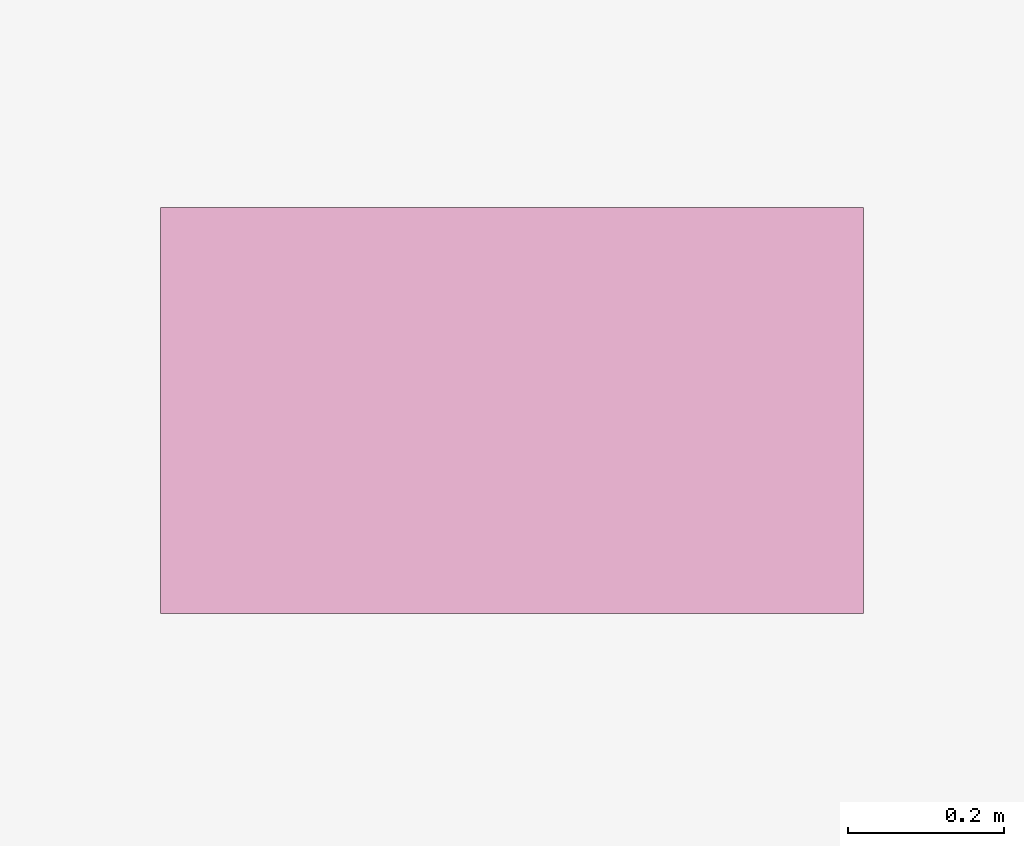
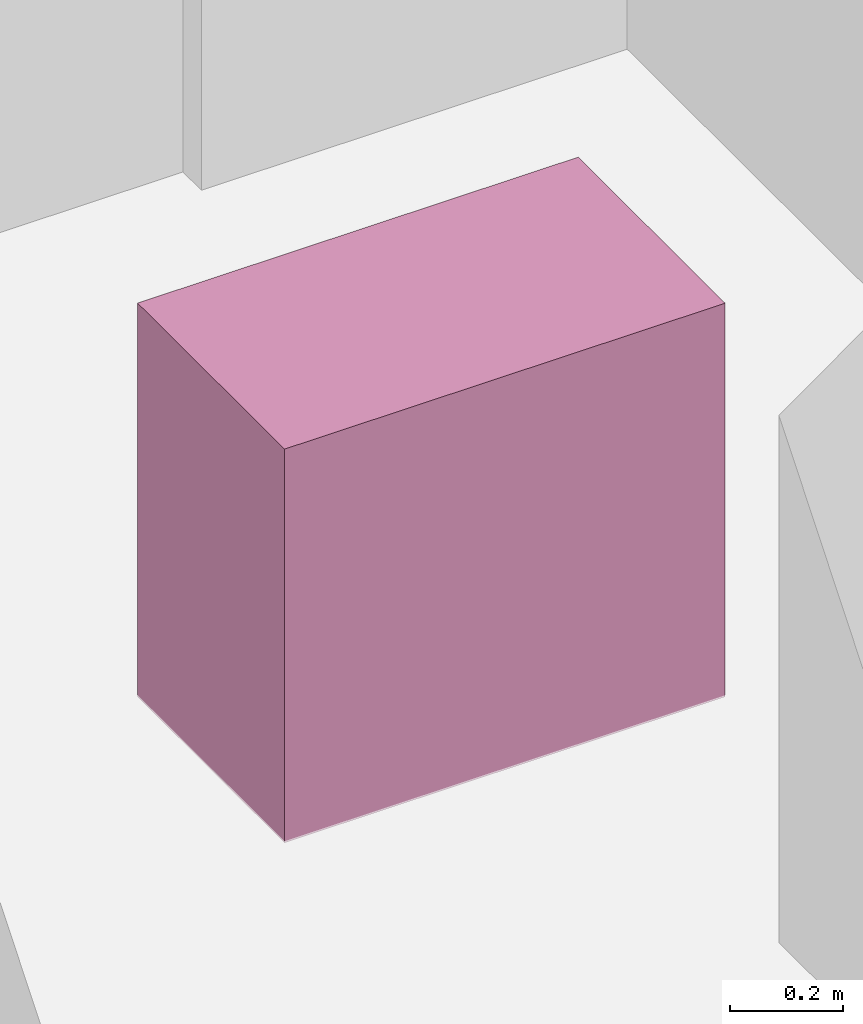
# One storey, part 29 of 29: 1 furnishing.
"""IFC4 building model written with IfcOpenShell, lengths in metres."""

from ifc_helpers import new_model, si_unit, direction, frame, origin, origin_2d, place, context, subcontext, project, spatial, rectangle, extrude, material, type_object, element, save


model = new_model("IFC4")

# Units and contexts
model_context = context("Model", 3, precision=1e-05, world=origin(), true_north=direction((0.0, 1.0)))
body_context = subcontext(model_context, "Body", "Model", "MODEL_VIEW")
ifc_project = project(units=[si_unit("LENGTHUNIT", "METRE"), si_unit("AREAUNIT", "SQUARE_METRE"), si_unit("VOLUMEUNIT", "CUBIC_METRE"), si_unit("PLANEANGLEUNIT", "RADIAN"), si_unit("MASSUNIT", "GRAM", prefix="KILO")], contexts=[model_context])

# Site, building, storey
site_placement = place(None, origin())
site = spatial("IfcSite", under=ifc_project, at=site_placement, CompositionType="ELEMENT")
building_placement = place(site_placement, origin())
building = spatial("IfcBuilding", under=site, at=building_placement, Name="Vorneva Point Tower", CompositionType="ELEMENT")
storey_placement = place(building_placement, frame((0.0, 0.0, 113.800048828125)))
storey = spatial("IfcBuildingStorey", under=building, at=storey_placement, Name="L30", CompositionType="ELEMENT", Elevation=113.800048828125)

# Furnishing
ifc_material = material(Name="Vitreous china and granite top", Category="masonry")
furniture_type = type_object("IfcFurnitureType", Name="FUR-VAN-900", AssemblyPlace="NOTDEFINED", PredefinedType="NOTDEFINED", material=ifc_material)
furnishing_placement = place(storey_placement, frame((34.85009765625, 32.1201171875, -0.005126953125), z_axis=(0.0, 0.0, 1.0), x_axis=(1.0, 0.0, 0.0)))
element("IfcFurnishingElement", 1, at=furnishing_placement, inside=storey, type_object=furniture_type, Name="L30 Public Male WC Vanity Unit", ObjectType="L30 Public Male WC Vanity Unit", context=body_context, shape_type="SweptSolid", body=[
    extrude(rectangle(XDim=0.89990234375, YDim=0.52001953125, at=origin_2d()), origin(), (0.0, 0.0, 1.0), 0.85009765625),
])

save(model, "model.ifc")
